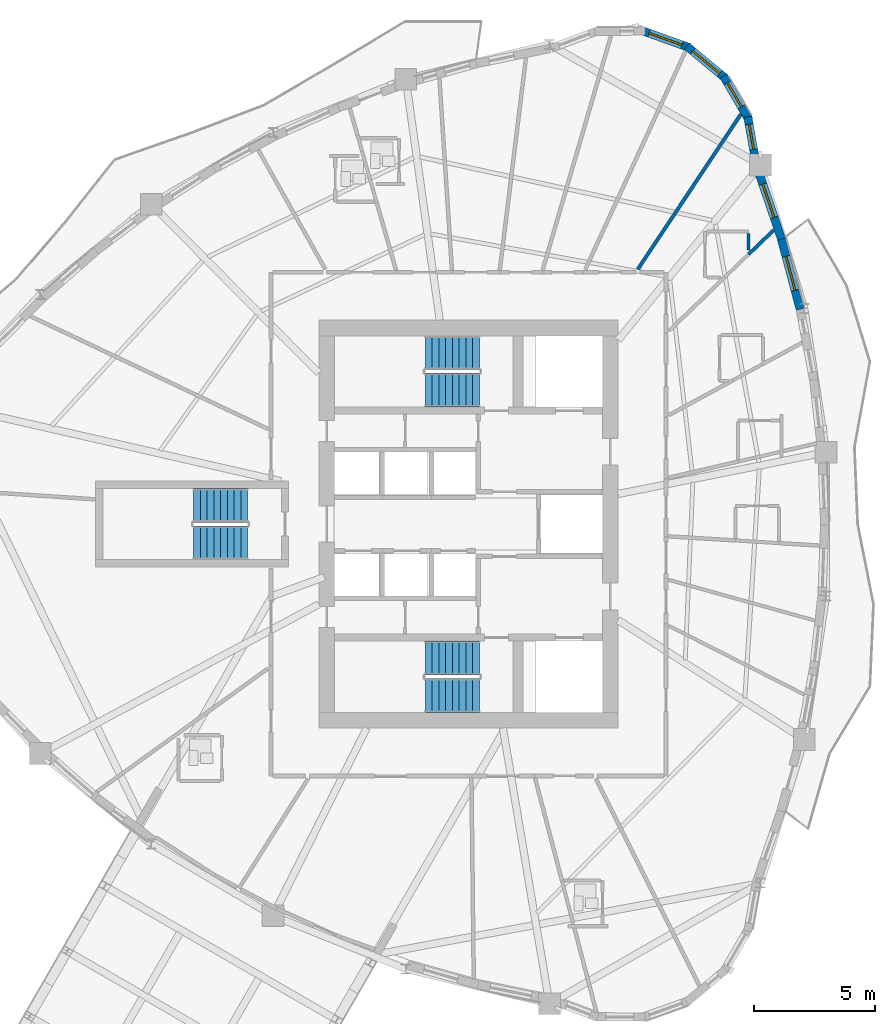
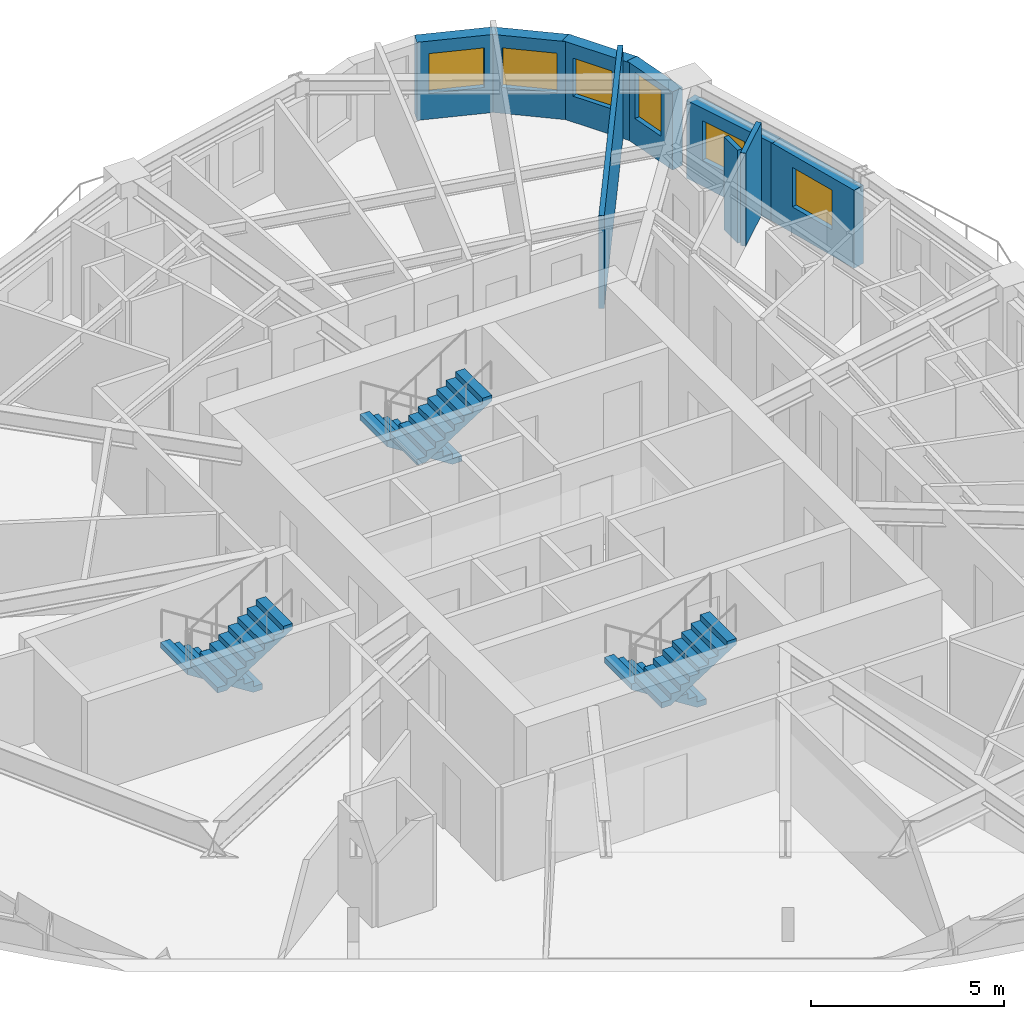
# One storey, part 11 of 17: 9 walls, 6 stair flights, 6 windows, 6 openings, 3 elements without a shape of their own.
"""IFC4 building model written with IfcOpenShell, lengths in metres."""

from ifc_helpers import new_model, si_unit, direction, frame, frame_2d, origin, place, context, subcontext, project, spatial, polyline, rectangle, outline, extrude, source, transform, mapped, material, layer, layer_set, type_object, element, fill, aggregate, save


model = new_model("IFC4")

# Units and contexts
model_context = context("Model", 3, precision=1e-05, world=origin(), true_north=direction((0.0, 1.0)))
body_context = subcontext(model_context, "Body", "Model", "MODEL_VIEW")
ifc_project = project(units=[si_unit("LENGTHUNIT", "METRE"), si_unit("AREAUNIT", "SQUARE_METRE"), si_unit("VOLUMEUNIT", "CUBIC_METRE"), si_unit("PLANEANGLEUNIT", "RADIAN"), si_unit("MASSUNIT", "GRAM", prefix="KILO")], contexts=[model_context])

# Site, building, storey
site_placement = place(None, origin())
site = spatial("IfcSite", under=ifc_project, at=site_placement, CompositionType="ELEMENT")
building_placement = place(site_placement, origin())
building = spatial("IfcBuilding", under=site, at=building_placement, Name="Qafzar Sky-Pleat Residences", CompositionType="ELEMENT")
storey_placement = place(building_placement, frame((0.0, 0.0, 112.0)))
storey = spatial("IfcBuildingStorey", under=building, at=storey_placement, Name="L33", CompositionType="ELEMENT", Elevation=112.0)

# Walls
ifc_material_1 = material(Name="Acoustic gypsum plasterboard partition", Category="gypsum")
ifc_layer_1 = layer(ifc_material_1, 0.14501953125)
ifc_layer_set_1 = layer_set([ifc_layer_1], Name="Acoustic gypsum plasterboard partition")
wall_type_1 = type_object("IfcWallType", Name="PART-UNIT-145", PredefinedType="PARTITIONING", material=ifc_layer_set_1)
wall_1_placement = place(storey_placement, frame((37.3662109375, 36.556884765625, 0.0), z_axis=(0.0, 0.0, 1.0), x_axis=(0.553463679146, 0.832873313215, 0.0)))
element("IfcWall", 1, at=wall_1_placement, inside=storey, type_object=wall_type_1, Name="L33 Partition Wall PART-L33-PW-040", PredefinedType="PARTITIONING", context=body_context, shape_type="SweptSolid", body=[
    extrude(rectangle(XDim=7.7041015625, YDim=0.14501953125, at=frame_2d((3.85205078125, 0.0))), origin(), (0.0, 0.0, 1.0), 2.93505859375),
])
wall_2_placement = place(storey_placement, frame((41.950927734375, 37.173095703125, 0.0), z_axis=(0.0, 0.0, 1.0), x_axis=(0.720559112487, 0.693393514111, 0.0)))
element("IfcWall", 2, at=wall_2_placement, inside=storey, type_object=wall_type_1, Name="L33 Partition Wall PART-L33-PW-073", PredefinedType="PARTITIONING", context=body_context, shape_type="SweptSolid", body=[
    extrude(rectangle(XDim=1.455810546875, YDim=0.14501953125, at=frame_2d((0.72802734375, 0.0))), origin(), (0.0, 0.0, 1.0), 2.93505859375),
])
ifc_material_2 = material(Name="Moisture-resistant gypsum partition", Category="gypsum")
ifc_layer_2 = layer(ifc_material_2, 0.1298828125)
ifc_layer_set_2 = layer_set([ifc_layer_2], Name="Moisture-resistant gypsum partition")
wall_type_2 = type_object("IfcWallType", Name="PART-WET-130", PredefinedType="PARTITIONING", material=ifc_layer_set_2)
wall_3_placement = place(storey_placement, frame((41.950927734375, 37.34423828125, 0.0), z_axis=(0.0, 0.0, 1.0), x_axis=(0.0, 1.0, 0.0)))
element("IfcWall", 3, at=wall_3_placement, inside=storey, type_object=wall_type_2, Name="L33 Partition Wall PART-L33-PW-087", PredefinedType="PARTITIONING", context=body_context, shape_type="SweptSolid", body=[
    extrude(rectangle(XDim=0.70166015625, YDim=0.1298828125, at=frame_2d((0.350830078125, 0.0))), origin(), (0.0, 0.0, 1.0), 2.93505859375),
])

# Wall, opening, window
ifc_material_3 = material(Name="Precast concrete C40/50 with honed Riyadh limestone", Category="concrete")
ifc_layer_3 = layer(ifc_material_3, 0.340087890625)
ifc_layer_set_3 = layer_set([ifc_layer_3], Name="Precast concrete C40/50 with honed Riyadh limestone")
wall_type_3 = type_object("IfcWallType", Name="WALL-EXT-340", PredefinedType="SOLIDWALL", material=ifc_layer_set_3)
wall_4_placement = place(storey_placement, frame((44.089599609375, 34.90087890625, 0.0), z_axis=(0.0, 0.0, 1.0), x_axis=(-0.257108087637, 0.966382652613, 0.0)))
wall_4 = element("IfcWall", 4, at=wall_4_placement, inside=storey, type_object=wall_type_3, Name="L33 Limestone Facade Wall 31", PredefinedType="SOLIDWALL", context=body_context, shape_type="SweptSolid", body=[
    extrude(rectangle(XDim=3.096435546875, YDim=0.340087890625, at=frame_2d((1.54833984375, 0.0))), origin(), (0.0, 0.0, 1.0), 2.465087890625),
])
opening_1_placement = place(wall_4_placement, frame((0.813232421875, 0.0, 0.820068359375)))
opening_1 = element("IfcOpeningElement", 5, at=opening_1_placement, cuts=wall_4, Name="Opening WN-15", PredefinedType="OPENING", context=body_context, shape_type="SweptSolid", body=[
    extrude(rectangle(XDim=1.449951171875, YDim=1.25, at=frame_2d((0.72509765625, 0.625))), frame((0.0, 0.18017578125, 0.0), z_axis=(0.0, -1.0, 0.0), x_axis=(1.0, 0.0, 0.0)), (0.0, 0.0, 1.0), 0.360107421875),
])
ifc_material_4 = material(Name="Solar-control low-E glass in bronze aluminium frame", Category="glass")
window_type_1 = type_object("IfcWindowType", Name="WIN-15", PartitioningType="SINGLE_PANEL", PredefinedType="WINDOW", material=ifc_material_4)
shared_shape_1 = source(origin(), body_context, "Body", "SweptSolid", [
    extrude(rectangle(XDim=1.449951171875, YDim=1.25, at=frame_2d((0.72509765625, 0.625))), frame((0.0, 0.030029296875, 0.0), z_axis=(0.0, -1.0, 0.0), x_axis=(1.0, 0.0, 0.0)), (0.0, 0.0, 1.0), 0.06005859375),
])
window_1_placement = place(opening_1_placement, origin())
window_1 = element("IfcWindow", 6, at=window_1_placement, inside=storey, type_object=window_type_1, Name="L33 Punched Facade Window 31", OverallHeight=1.25, OverallWidth=1.449951171875, PartitioningType="SINGLE_PANEL", PredefinedType="WINDOW", context=body_context, shape_type="MappedRepresentation", body=[
    mapped(shared_shape_1, transform((0.0, 0.0, 0.0), x_axis=(1.0, 0.0, 0.0), y_axis=(0.0, 1.0, 0.0), z_axis=(0.0, 0.0, 1.0), scale=1.0)),
])
fill(opening_1, window_1)

wall_5_placement = place(storey_placement, frame((43.31884765625, 37.809326171875, 0.0), z_axis=(0.0, 0.0, 1.0), x_axis=(-0.323586371726, 0.946198636669, 0.0)))
wall_5 = element("IfcWall", 7, at=wall_5_placement, inside=storey, type_object=wall_type_3, Name="L33 Limestone Facade Wall 32", PredefinedType="SOLIDWALL", context=body_context, shape_type="SweptSolid", body=[
    extrude(rectangle(XDim=2.952392578125, YDim=0.340087890625, at=frame_2d((1.47607421875, 0.0))), origin(), (0.0, 0.0, 1.0), 2.465087890625),
])
opening_2_placement = place(wall_5_placement, frame((0.949462890625, 0.0, 0.820068359375)))
opening_2 = element("IfcOpeningElement", 8, at=opening_2_placement, cuts=wall_5, Name="Opening WN-15", PredefinedType="OPENING", context=body_context, shape_type="SweptSolid", body=[
    extrude(rectangle(XDim=1.449951171875, YDim=1.25, at=frame_2d((0.72509765625, 0.625))), frame((0.0, 0.18017578125, 0.0), z_axis=(0.0, -1.0, 0.0), x_axis=(1.0, 0.0, 0.0)), (0.0, 0.0, 1.0), 0.360107421875),
])
window_2_placement = place(opening_2_placement, origin())
window_2 = element("IfcWindow", 9, at=window_2_placement, inside=storey, type_object=window_type_1, Name="L33 Punched Facade Window 32-2", OverallHeight=1.25, OverallWidth=1.449951171875, PartitioningType="SINGLE_PANEL", PredefinedType="WINDOW", context=body_context, shape_type="MappedRepresentation", body=[
    mapped(shared_shape_1, transform((0.0, 0.0, 0.0), x_axis=(1.0, 0.0, 0.0), y_axis=(0.0, 1.0, 0.0), z_axis=(0.0, 0.0, 1.0), scale=1.0)),
])
fill(opening_2, window_2)

wall_6_placement = place(storey_placement, frame((42.242431640625, 41.072265625, 0.0), z_axis=(0.0, 0.0, 1.0), x_axis=(-0.17440141227, 0.984674640375, 0.0)))
wall_6 = element("IfcWall", 10, at=wall_6_placement, inside=storey, type_object=wall_type_3, Name="L33 Limestone Facade Wall 33", PredefinedType="SOLIDWALL", context=body_context, shape_type="SweptSolid", body=[
    extrude(rectangle(XDim=1.8310546875, YDim=0.340087890625, at=frame_2d((0.91552734375, 0.0))), origin(), (0.0, 0.0, 1.0), 2.465087890625),
])
opening_3_placement = place(wall_6_placement, frame((0.457275390625, 0.0, 0.820068359375)))
opening_3 = element("IfcOpeningElement", 11, at=opening_3_placement, cuts=wall_6, Name="Opening WN-06", PredefinedType="OPENING", context=body_context, shape_type="SweptSolid", body=[
    extrude(rectangle(XDim=1.050048828125, YDim=1.449951171875, at=frame_2d((0.52490234375, 0.72509765625))), frame((0.0, 0.18017578125, 0.0), z_axis=(0.0, -1.0, 0.0), x_axis=(1.0, 0.0, 0.0)), (0.0, 0.0, 1.0), 0.360107421875),
])
window_type_2 = type_object("IfcWindowType", Name="WIN-06", PartitioningType="SINGLE_PANEL", PredefinedType="WINDOW", material=ifc_material_4)
shared_shape_2 = source(origin(), body_context, "Body", "SweptSolid", [
    extrude(rectangle(XDim=1.050048828125, YDim=1.449951171875, at=frame_2d((0.52490234375, 0.72509765625))), frame((0.0, 0.030029296875, 0.0), z_axis=(0.0, -1.0, 0.0), x_axis=(1.0, 0.0, 0.0)), (0.0, 0.0, 1.0), 0.06005859375),
])
window_3_placement = place(opening_3_placement, origin())
window_3 = element("IfcWindow", 12, at=window_3_placement, inside=storey, type_object=window_type_2, Name="L33 Punched Facade Window 33", OverallHeight=1.449951171875, OverallWidth=1.050048828125, PartitioningType="SINGLE_PANEL", PredefinedType="WINDOW", context=body_context, shape_type="MappedRepresentation", body=[
    mapped(shared_shape_2, transform((0.0, 0.0, 0.0), x_axis=(1.0, 0.0, 0.0), y_axis=(0.0, 1.0, 0.0), z_axis=(0.0, 0.0, 1.0), scale=1.0)),
])
fill(opening_3, window_3)

wall_7_placement = place(storey_placement, frame((41.96923828125, 42.749267578125, 0.0), z_axis=(0.0, 0.0, 1.0), x_axis=(-0.501989603552, 0.864873654313, 0.0)))
wall_7 = element("IfcWall", 13, at=wall_7_placement, inside=storey, type_object=wall_type_3, Name="L33 Limestone Facade Wall 34", PredefinedType="SOLIDWALL", context=body_context, shape_type="SweptSolid", body=[
    extrude(rectangle(XDim=2.09912109375, YDim=0.340087890625, at=frame_2d((1.049560546875, 0.0))), origin(), (0.0, 0.0, 1.0), 2.465087890625),
])
opening_4_placement = place(wall_7_placement, frame((0.62158203125, 0.0, 0.820068359375)))
opening_4 = element("IfcOpeningElement", 14, at=opening_4_placement, cuts=wall_7, Name="Opening WN-16", PredefinedType="OPENING", context=body_context, shape_type="SweptSolid", body=[
    extrude(rectangle(XDim=1.14990234375, YDim=1.199951171875, at=frame_2d((0.574951171875, 0.60009765625))), frame((0.0, 0.18017578125, 0.0), z_axis=(0.0, -1.0, 0.0), x_axis=(1.0, 0.0, 0.0)), (0.0, 0.0, 1.0), 0.360107421875),
])
window_type_3 = type_object("IfcWindowType", Name="WIN-16", PartitioningType="SINGLE_PANEL", PredefinedType="WINDOW", material=ifc_material_4)
shared_shape_3 = source(origin(), body_context, "Body", "SweptSolid", [
    extrude(rectangle(XDim=1.14990234375, YDim=1.199951171875, at=frame_2d((0.574951171875, 0.60009765625))), frame((0.0, 0.030029296875, 0.0), z_axis=(0.0, -1.0, 0.0), x_axis=(1.0, 0.0, 0.0)), (0.0, 0.0, 1.0), 0.06005859375),
])
window_4_placement = place(opening_4_placement, origin())
window_4 = element("IfcWindow", 15, at=window_4_placement, inside=storey, type_object=window_type_3, Name="L33 Punched Facade Window 34", OverallHeight=1.199951171875, OverallWidth=1.14990234375, PartitioningType="SINGLE_PANEL", PredefinedType="WINDOW", context=body_context, shape_type="MappedRepresentation", body=[
    mapped(shared_shape_3, transform((0.0, 0.0, 0.0), x_axis=(1.0, 0.0, 0.0), y_axis=(0.0, 1.0, 0.0), z_axis=(0.0, 0.0, 1.0), scale=1.0)),
])
fill(opening_4, window_4)

wall_8_placement = place(storey_placement, frame((41.002197265625, 44.462158203125, 0.0), z_axis=(0.0, 0.0, 1.0), x_axis=(-0.768488123124, 0.639864051669, 0.0)))
wall_8 = element("IfcWall", 16, at=wall_8_placement, inside=storey, type_object=wall_type_3, Name="L33 Limestone Facade Wall 35", PredefinedType="SOLIDWALL", context=body_context, shape_type="SweptSolid", body=[
    extrude(rectangle(XDim=2.099365234375, YDim=0.340087890625, at=frame_2d((1.0498046875, 0.0))), origin(), (0.0, 0.0, 1.0), 2.465087890625),
])
opening_5_placement = place(wall_8_placement, frame((0.318603515625, 0.0, 0.820068359375)))
opening_5 = element("IfcOpeningElement", 17, at=opening_5_placement, cuts=wall_8, Name="Opening WN-15", PredefinedType="OPENING", context=body_context, shape_type="SweptSolid", body=[
    extrude(rectangle(XDim=1.449951171875, YDim=1.25, at=frame_2d((0.72509765625, 0.625))), frame((0.0, 0.18017578125, 0.0), z_axis=(0.0, -1.0, 0.0), x_axis=(1.0, 0.0, 0.0)), (0.0, 0.0, 1.0), 0.360107421875),
])
window_5_placement = place(opening_5_placement, origin())
window_5 = element("IfcWindow", 18, at=window_5_placement, inside=storey, type_object=window_type_1, Name="L33 Punched Facade Window 35", OverallHeight=1.25, OverallWidth=1.449951171875, PartitioningType="SINGLE_PANEL", PredefinedType="WINDOW", context=body_context, shape_type="MappedRepresentation", body=[
    mapped(shared_shape_1, transform((0.0, 0.0, 0.0), x_axis=(1.0, 0.0, 0.0), y_axis=(0.0, 1.0, 0.0), z_axis=(0.0, 0.0, 1.0), scale=1.0)),
])
fill(opening_5, window_5)

wall_9_placement = place(storey_placement, frame((39.505615234375, 45.73876953125, 0.0), z_axis=(0.0, 0.0, 1.0), x_axis=(-0.941486401639, 0.33705096874, 0.0)))
wall_9 = element("IfcWall", 19, at=wall_9_placement, inside=storey, type_object=wall_type_3, Name="L33 Limestone Facade Wall 36", PredefinedType="SOLIDWALL", context=body_context, shape_type="SweptSolid", body=[
    extrude(rectangle(XDim=2.09912109375, YDim=0.340087890625, at=frame_2d((1.049560546875, 0.0))), origin(), (0.0, 0.0, 1.0), 2.465087890625),
])
opening_6_placement = place(wall_9_placement, frame((0.326904296875, 0.0, 0.820068359375)))
opening_6 = element("IfcOpeningElement", 20, at=opening_6_placement, cuts=wall_9, Name="Opening WN-15", PredefinedType="OPENING", context=body_context, shape_type="SweptSolid", body=[
    extrude(rectangle(XDim=1.449951171875, YDim=1.25, at=frame_2d((0.72509765625, 0.625))), frame((0.0, 0.18017578125, 0.0), z_axis=(0.0, -1.0, 0.0), x_axis=(1.0, 0.0, 0.0)), (0.0, 0.0, 1.0), 0.360107421875),
])
window_6_placement = place(opening_6_placement, origin())
window_6 = element("IfcWindow", 21, at=window_6_placement, inside=storey, type_object=window_type_1, Name="L33 Punched Facade Window 36", OverallHeight=1.25, OverallWidth=1.449951171875, PartitioningType="SINGLE_PANEL", PredefinedType="WINDOW", context=body_context, shape_type="MappedRepresentation", body=[
    mapped(shared_shape_1, transform((0.0, 0.0, 0.0), x_axis=(1.0, 0.0, 0.0), y_axis=(0.0, 1.0, 0.0), z_axis=(0.0, 0.0, 1.0), scale=1.0)),
])
fill(opening_6, window_6)

# Stair, stair flights
ifc_material_5 = material(Name="Concrete C40/50", Category="concrete")
stair_type = type_object("IfcStairType", Name="STAIR-H320", PredefinedType="HALF_TURN_STAIR", material=ifc_material_5)
stair_1_placement = place(storey_placement, origin())
stair_1 = element("IfcStair", 22, at=stair_1_placement, inside=storey, type_object=stair_type, Name="L33 Protected Exit Stair ST1", PredefinedType="HALF_TURN_STAIR")
stair_flight_type = type_object("IfcStairFlightType", Name="FLIGHT-H320", PredefinedType="STRAIGHT", material=ifc_material_5)
shared_shape_4 = source(origin(), body_context, "Body", "SweptSolid", [
    extrude(outline(polyline([(0.0, 0.0), (0.0, 0.177734375), (0.280029296875, 0.177734375), (0.280029296875, 0.35546875), (0.56005859375, 0.35546875), (0.56005859375, 0.533447265625), (0.840087890625, 0.533447265625), (0.840087890625, 0.711181640625), (1.1201171875, 0.711181640625), (1.1201171875, 0.888916015625), (1.39990234375, 0.888916015625), (1.39990234375, 1.066650390625), (1.679931640625, 1.066650390625), (1.679931640625, 1.244384765625), (1.9599609375, 1.244384765625), (1.9599609375, 1.422119140625), (2.239990234375, 1.422119140625), (2.239990234375, 1.60009765625), (2.239990234375, 1.24462890625), (0.27978515625, 0.0), (0.0, 0.0)])), frame((0.0, 0.699951171875, 0.0), z_axis=(0.0, -1.0, 0.0), x_axis=(1.0, 0.0, 0.0)), (0.0, 0.0, 1.0), 1.39990234375),
])
stair_flight_1_placement = place(storey_placement, frame((30.800048828125, 20.449951171875, 0.0), z_axis=(0.0, 0.0, 1.0), x_axis=(-1.0, 0.0, 0.0)))
stair_flight_1 = element("IfcStairFlight", 23, at=stair_flight_1_placement, type_object=stair_flight_type, Name="ST1 flight 1", NumberOfRisers=9, NumberOfTreads=8, PredefinedType="STRAIGHT", RiserHeight=0.177777778, TreadLength=0.28, context=body_context, shape_type="MappedRepresentation", body=[
    mapped(shared_shape_4, transform((0.0, 0.0, 0.0), x_axis=(1.0, 0.0, 0.0), y_axis=(0.0, 1.0, 0.0), z_axis=(0.0, 0.0, 1.0), scale=1.0)),
])
stair_flight_2_placement = place(storey_placement, frame((28.56005859375, 18.89990234375, 1.60009765625), z_axis=(0.0, 0.0, 1.0), x_axis=(1.0, 0.0, 0.0)))
stair_flight_2 = element("IfcStairFlight", 24, at=stair_flight_2_placement, type_object=stair_flight_type, Name="ST1 flight 2", NumberOfRisers=9, NumberOfTreads=8, PredefinedType="STRAIGHT", RiserHeight=0.177777778, TreadLength=0.28, context=body_context, shape_type="MappedRepresentation", body=[
    mapped(shared_shape_4, transform((0.0, 0.0, 0.0), x_axis=(1.0, 0.0, 0.0), y_axis=(0.0, 1.0, 0.0), z_axis=(0.0, 0.0, 1.0), scale=1.0)),
])
aggregate(stair_1, [stair_flight_1, stair_flight_2])

stair_2_placement = place(storey_placement, origin())
stair_2 = element("IfcStair", 25, at=stair_2_placement, inside=storey, type_object=stair_type, Name="L33 Protected Exit Stair ST2", PredefinedType="HALF_TURN_STAIR")
stair_flight_3_placement = place(storey_placement, frame((30.800048828125, 33.10009765625, 0.0), z_axis=(0.0, 0.0, 1.0), x_axis=(-1.0, 0.0, 0.0)))
stair_flight_3 = element("IfcStairFlight", 26, at=stair_flight_3_placement, type_object=stair_flight_type, Name="ST2 flight 1", NumberOfRisers=9, NumberOfTreads=8, PredefinedType="STRAIGHT", RiserHeight=0.177777778, TreadLength=0.28, context=body_context, shape_type="MappedRepresentation", body=[
    mapped(shared_shape_4, transform((0.0, 0.0, 0.0), x_axis=(1.0, 0.0, 0.0), y_axis=(0.0, 1.0, 0.0), z_axis=(0.0, 0.0, 1.0), scale=1.0)),
])
stair_flight_4_placement = place(storey_placement, frame((28.56005859375, 31.550048828125, 1.60009765625), z_axis=(0.0, 0.0, 1.0), x_axis=(1.0, 0.0, 0.0)))
stair_flight_4 = element("IfcStairFlight", 27, at=stair_flight_4_placement, type_object=stair_flight_type, Name="ST2 flight 2", NumberOfRisers=9, NumberOfTreads=8, PredefinedType="STRAIGHT", RiserHeight=0.177777778, TreadLength=0.28, context=body_context, shape_type="MappedRepresentation", body=[
    mapped(shared_shape_4, transform((0.0, 0.0, 0.0), x_axis=(1.0, 0.0, 0.0), y_axis=(0.0, 1.0, 0.0), z_axis=(0.0, 0.0, 1.0), scale=1.0)),
])
aggregate(stair_2, [stair_flight_3, stair_flight_4])

stair_3_placement = place(storey_placement, origin())
stair_3 = element("IfcStair", 28, at=stair_3_placement, inside=storey, type_object=stair_type, Name="L33 Protected Exit Stair ST3", PredefinedType="HALF_TURN_STAIR")
stair_flight_5_placement = place(storey_placement, frame((21.199951171875, 26.77490234375, 0.0), z_axis=(0.0, 0.0, 1.0), x_axis=(-1.0, 0.0, 0.0)))
stair_flight_5 = element("IfcStairFlight", 29, at=stair_flight_5_placement, type_object=stair_flight_type, Name="ST3 flight 1", NumberOfRisers=9, NumberOfTreads=8, PredefinedType="STRAIGHT", RiserHeight=0.177777778, TreadLength=0.28, context=body_context, shape_type="MappedRepresentation", body=[
    mapped(shared_shape_4, transform((0.0, 0.0, 0.0), x_axis=(1.0, 0.0, 0.0), y_axis=(0.0, 1.0, 0.0), z_axis=(0.0, 0.0, 1.0), scale=1.0)),
])
stair_flight_6_placement = place(storey_placement, frame((18.9599609375, 25.22509765625, 1.60009765625), z_axis=(0.0, 0.0, 1.0), x_axis=(1.0, 0.0, 0.0)))
stair_flight_6 = element("IfcStairFlight", 30, at=stair_flight_6_placement, type_object=stair_flight_type, Name="ST3 flight 2", NumberOfRisers=9, NumberOfTreads=8, PredefinedType="STRAIGHT", RiserHeight=0.177777778, TreadLength=0.28, context=body_context, shape_type="MappedRepresentation", body=[
    mapped(shared_shape_4, transform((0.0, 0.0, 0.0), x_axis=(1.0, 0.0, 0.0), y_axis=(0.0, 1.0, 0.0), z_axis=(0.0, 0.0, 1.0), scale=1.0)),
])
aggregate(stair_3, [stair_flight_5, stair_flight_6])

save(model, "model.ifc")
